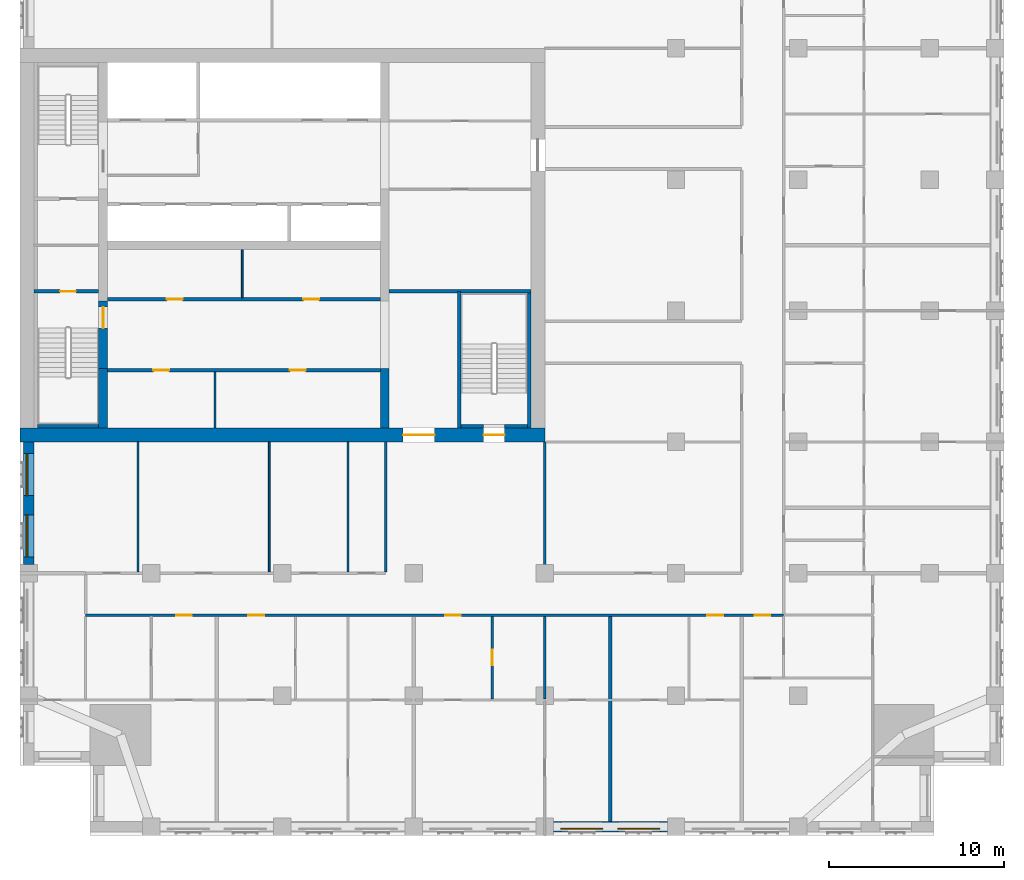
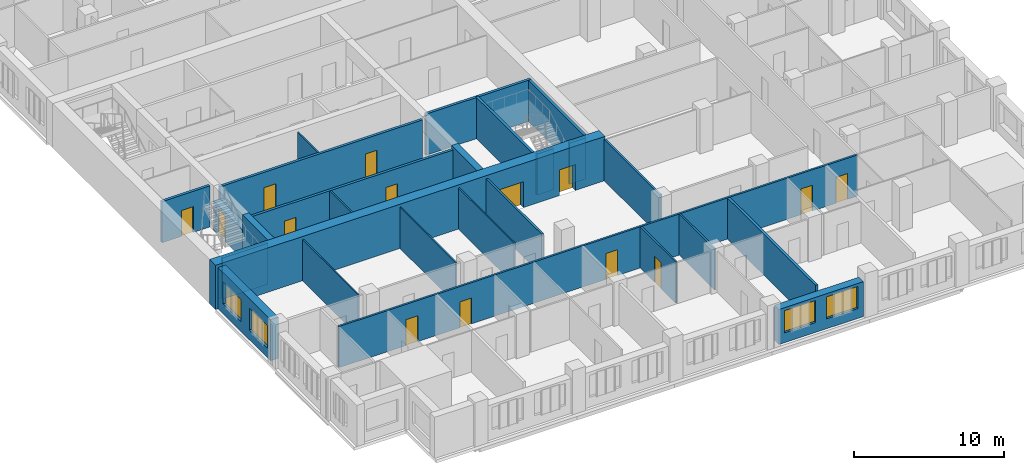
# One storey, part 5 of 14: 26 walls, 14 doors, 4 windows, 18 openings.
"""IFC4 building model written with IfcOpenShell, lengths in metres."""

from ifc_helpers import new_model, si_unit, direction, frame, frame_2d, origin, place, context, subcontext, project, spatial, rectangle, extrude, material, layer, layer_set, type_object, element, fill, save


model = new_model("IFC4")

# Units and contexts
model_context = context("Model", 3, precision=1e-05, world=origin(), true_north=direction((0.0, 1.0)))
body_context = subcontext(model_context, "Body", "Model", "MODEL_VIEW")
ifc_project = project(units=[si_unit("LENGTHUNIT", "METRE"), si_unit("AREAUNIT", "SQUARE_METRE"), si_unit("VOLUMEUNIT", "CUBIC_METRE"), si_unit("PLANEANGLEUNIT", "RADIAN"), si_unit("MASSUNIT", "GRAM", prefix="KILO")], contexts=[model_context])

# Site, building, storey
site_placement = place(None, origin())
site = spatial("IfcSite", under=ifc_project, at=site_placement, CompositionType="ELEMENT")
building_placement = place(site_placement, origin())
building = spatial("IfcBuilding", under=site, at=building_placement, Name="Tamorin Gate", CompositionType="ELEMENT")
storey_placement = place(building_placement, frame((0.0, 0.0, 151.800048828125)))
storey = spatial("IfcBuildingStorey", under=building, at=storey_placement, Name="L37", CompositionType="ELEMENT", Elevation=151.800048828125)

# Wall, openings, windows
ifc_material_1 = material(Name="Precast concrete C40/50", Category="concrete")
ifc_layer_1 = layer(ifc_material_1, 0.60009765625)
ifc_layer_set_1 = layer_set([ifc_layer_1], Name="Precast concrete C40/50")
wall_type_1 = type_object("IfcWallType", Name="Board-marked concrete facade panel 600", PredefinedType="SOLIDWALL", material=ifc_layer_set_1)
wall_1_placement = place(storey_placement, frame((60.5, 38.0, 0.0), z_axis=(0.0, 0.0, 1.0), x_axis=(1.0, 0.0, 0.0)))
wall_1 = element("IfcWall", 1, at=wall_1_placement, inside=storey, type_object=wall_type_1, Name="Facade panel", PredefinedType="SOLIDWALL", context=body_context, shape_type="SweptSolid", body=[
    extrude(rectangle(XDim=6.5, YDim=0.60009765625, at=frame_2d((3.25, 0.0))), origin(), (0.0, 0.0, 1.0), 2.849853515625),
])
opening_1_placement = place(wall_1_placement, frame((0.425048828125, 0.0, 0.800048828125)))
opening_1 = element("IfcOpeningElement", 2, at=opening_1_placement, cuts=wall_1, Name="Opening WN1", PredefinedType="OPENING", context=body_context, shape_type="SweptSolid", body=[
    extrude(rectangle(XDim=2.39990234375, YDim=1.800048828125, at=frame_2d((1.199951171875, 0.89990234375))), frame((0.0, 0.31005859375, 0.0), z_axis=(0.0, -1.0, 0.0), x_axis=(1.0, 0.0, 0.0)), (0.0, 0.0, 1.0), 0.6201171875),
])
opening_2_placement = place(wall_1_placement, frame((3.675048828125, 0.0, 0.800048828125)))
opening_2 = element("IfcOpeningElement", 3, at=opening_2_placement, cuts=wall_1, Name="Opening WN1", PredefinedType="OPENING", context=body_context, shape_type="SweptSolid", body=[
    extrude(rectangle(XDim=2.39990234375, YDim=1.800048828125, at=frame_2d((1.199951171875, 0.89990234375))), frame((0.0, 0.31005859375, 0.0), z_axis=(0.0, -1.0, 0.0), x_axis=(1.0, 0.0, 0.0)), (0.0, 0.0, 1.0), 0.6201171875),
])
ifc_material_2 = material(Name="Clear glass in aluminium frame", Category="aluminium")
window_type = type_object("IfcWindowType", Name="Deep-set window 2400x1800", PartitioningType="SINGLE_PANEL", PredefinedType="WINDOW", material=ifc_material_2)
window_1_placement = place(opening_1_placement, origin())
window_1 = element("IfcWindow", 4, at=window_1_placement, inside=storey, type_object=window_type, Name="Deep-set window", OverallHeight=1.800048828125, OverallWidth=2.39990234375, PartitioningType="SINGLE_PANEL", PredefinedType="WINDOW", context=body_context, shape_type="SweptSolid", body=[
    extrude(rectangle(XDim=2.39990234375, YDim=1.800048828125, at=frame_2d((1.199951171875, 0.89990234375))), frame((0.0, -0.070068359375, 0.0), z_axis=(0.0, -1.0, 0.0), x_axis=(1.0, 0.0, 0.0)), (0.0, 0.0, 1.0), 0.06005859375),
])
fill(opening_1, window_1)
window_2_placement = place(opening_2_placement, origin())
window_2 = element("IfcWindow", 5, at=window_2_placement, inside=storey, type_object=window_type, Name="Deep-set window", OverallHeight=1.800048828125, OverallWidth=2.39990234375, PartitioningType="SINGLE_PANEL", PredefinedType="WINDOW", context=body_context, shape_type="SweptSolid", body=[
    extrude(rectangle(XDim=2.39990234375, YDim=1.800048828125, at=frame_2d((1.199951171875, 0.89990234375))), frame((0.0, -0.070068359375, 0.0), z_axis=(0.0, -1.0, 0.0), x_axis=(1.0, 0.0, 0.0)), (0.0, 0.0, 1.0), 0.06005859375),
])
fill(opening_2, window_2)

wall_2_placement = place(storey_placement, frame((30.5, 60.0, 0.0), z_axis=(0.0, 0.0, 1.0), x_axis=(0.0, -1.0, 0.0)))
wall_2 = element("IfcWall", 6, at=wall_2_placement, inside=storey, type_object=wall_type_1, Name="Facade panel", PredefinedType="SOLIDWALL", context=body_context, shape_type="SweptSolid", body=[
    extrude(rectangle(XDim=7.0, YDim=0.60009765625, at=frame_2d((3.5, 0.0))), origin(), (0.0, 0.0, 1.0), 3.349853515625),
])
opening_3_placement = place(wall_2_placement, frame((4.175048828125, 0.0, 0.800048828125)))
opening_3 = element("IfcOpeningElement", 7, at=opening_3_placement, cuts=wall_2, Name="Opening WN1", PredefinedType="OPENING", context=body_context, shape_type="SweptSolid", body=[
    extrude(rectangle(XDim=2.39990234375, YDim=1.800048828125, at=frame_2d((1.199951171875, 0.89990234375))), frame((0.0, 0.31005859375, 0.0), z_axis=(0.0, -1.0, 0.0), x_axis=(1.0, 0.0, 0.0)), (0.0, 0.0, 1.0), 0.6201171875),
])
opening_4_placement = place(wall_2_placement, frame((0.675048828125, 0.0, 0.800048828125)))
opening_4 = element("IfcOpeningElement", 8, at=opening_4_placement, cuts=wall_2, Name="Opening WN1", PredefinedType="OPENING", context=body_context, shape_type="SweptSolid", body=[
    extrude(rectangle(XDim=2.39990234375, YDim=1.800048828125, at=frame_2d((1.199951171875, 0.89990234375))), frame((0.0, 0.31005859375, 0.0), z_axis=(0.0, -1.0, 0.0), x_axis=(1.0, 0.0, 0.0)), (0.0, 0.0, 1.0), 0.6201171875),
])
window_3_placement = place(opening_3_placement, origin())
window_3 = element("IfcWindow", 9, at=window_3_placement, inside=storey, type_object=window_type, Name="Deep-set window", OverallHeight=1.800048828125, OverallWidth=2.39990234375, PartitioningType="SINGLE_PANEL", PredefinedType="WINDOW", context=body_context, shape_type="SweptSolid", body=[
    extrude(rectangle(XDim=2.39990234375, YDim=1.800048828125, at=frame_2d((1.199951171875, 0.89990234375))), frame((0.0, -0.070068359375, 0.0), z_axis=(0.0, -1.0, 0.0), x_axis=(1.0, 0.0, 0.0)), (0.0, 0.0, 1.0), 0.06005859375),
])
fill(opening_3, window_3)
window_4_placement = place(opening_4_placement, origin())
window_4 = element("IfcWindow", 10, at=window_4_placement, inside=storey, type_object=window_type, Name="Deep-set window", OverallHeight=1.800048828125, OverallWidth=2.39990234375, PartitioningType="SINGLE_PANEL", PredefinedType="WINDOW", context=body_context, shape_type="SweptSolid", body=[
    extrude(rectangle(XDim=2.39990234375, YDim=1.800048828125, at=frame_2d((1.199951171875, 0.89990234375))), frame((0.0, -0.070068359375, 0.0), z_axis=(0.0, -1.0, 0.0), x_axis=(1.0, 0.0, 0.0)), (0.0, 0.0, 1.0), 0.06005859375),
])
fill(opening_4, window_4)

# Wall, openings, doors
ifc_material_3 = material(Name="Gypsum board partition")
ifc_layer_2 = layer(ifc_material_3, 0.14990234375)
ifc_layer_set_2 = layer_set([ifc_layer_2], Name="Corridor wall 150")
wall_type_2 = type_object("IfcWallType", Name="Corridor wall 150", PredefinedType="PARTITIONING", material=ifc_layer_set_2)
wall_3_placement = place(storey_placement, frame((33.75, 50.10009765625, 0.0), z_axis=(0.0, 0.0, 1.0), x_axis=(1.0, 0.0, 0.0)))
wall_3 = element("IfcWall", 11, at=wall_3_placement, inside=storey, type_object=wall_type_2, Name="Corridor wall 150", PredefinedType="PARTITIONING", context=body_context, shape_type="SweptSolid", body=[
    extrude(rectangle(XDim=39.89990234375, YDim=0.14990234375, at=frame_2d((19.949951171875, 0.0))), origin(), (0.0, 0.0, 1.0), 3.349853515625),
])
opening_5_placement = place(wall_3_placement, frame((5.175048828125, 0.0, 0.0)))
opening_5 = element("IfcOpeningElement", 12, at=opening_5_placement, cuts=wall_3, Name="Opening DS3003", PredefinedType="OPENING", context=body_context, shape_type="SweptSolid", body=[
    extrude(rectangle(XDim=0.89990234375, YDim=2.10009765625, at=frame_2d((0.449951171875, 1.050048828125))), frame((0.0, 0.0849609375, 0.0), z_axis=(0.0, -1.0, 0.0), x_axis=(1.0, 0.0, 0.0)), (0.0, 0.0, 1.0), 0.169921875),
])
opening_6_placement = place(wall_3_placement, frame((9.300048828125, 0.0, 0.0)))
opening_6 = element("IfcOpeningElement", 13, at=opening_6_placement, cuts=wall_3, Name="Opening DS3005", PredefinedType="OPENING", context=body_context, shape_type="SweptSolid", body=[
    extrude(rectangle(XDim=0.89990234375, YDim=2.10009765625, at=frame_2d((0.449951171875, 1.050048828125))), frame((0.0, 0.0849609375, 0.0), z_axis=(0.0, -1.0, 0.0), x_axis=(1.0, 0.0, 0.0)), (0.0, 0.0, 1.0), 0.169921875),
])
opening_7_placement = place(wall_3_placement, frame((20.550048828125, 0.0, 0.0)))
opening_7 = element("IfcOpeningElement", 14, at=opening_7_placement, cuts=wall_3, Name="Opening DS3010", PredefinedType="OPENING", context=body_context, shape_type="SweptSolid", body=[
    extrude(rectangle(XDim=0.89990234375, YDim=2.10009765625, at=frame_2d((0.449951171875, 1.050048828125))), frame((0.0, 0.0849609375, 0.0), z_axis=(0.0, -1.0, 0.0), x_axis=(1.0, 0.0, 0.0)), (0.0, 0.0, 1.0), 0.169921875),
])
opening_8_placement = place(wall_3_placement, frame((35.550048828125, 0.0, 0.0)))
opening_8 = element("IfcOpeningElement", 15, at=opening_8_placement, cuts=wall_3, Name="Opening DS3016", PredefinedType="OPENING", context=body_context, shape_type="SweptSolid", body=[
    extrude(rectangle(XDim=0.89990234375, YDim=2.10009765625, at=frame_2d((0.449951171875, 1.050048828125))), frame((0.0, 0.0849609375, 0.0), z_axis=(0.0, -1.0, 0.0), x_axis=(1.0, 0.0, 0.0)), (0.0, 0.0, 1.0), 0.169921875),
])
opening_9_placement = place(wall_3_placement, frame((38.25, 0.0, 0.0)))
opening_9 = element("IfcOpeningElement", 16, at=opening_9_placement, cuts=wall_3, Name="Opening DS3056", PredefinedType="OPENING", context=body_context, shape_type="SweptSolid", body=[
    extrude(rectangle(XDim=0.89990234375, YDim=2.10009765625, at=frame_2d((0.449951171875, 1.050048828125))), frame((0.0, 0.0849609375, 0.0), z_axis=(0.0, -1.0, 0.0), x_axis=(1.0, 0.0, 0.0)), (0.0, 0.0, 1.0), 0.169921875),
])
ifc_material_4 = material(Name="Timber door leaf", Category="wood")
door_type_1 = type_object("IfcDoorType", Name="Door 900 x 2100 FD30S", OperationType="NOTDEFINED", PredefinedType="DOOR", material=ifc_material_4)
door_1_placement = place(opening_5_placement, origin())
door_1 = element("IfcDoor", 17, at=door_1_placement, inside=storey, type_object=door_type_1, Name="Door DS3003", OperationType="SINGLE_SWING_RIGHT", OverallHeight=2.10009765625, OverallWidth=0.89990234375, PredefinedType="DOOR", context=body_context, shape_type="SweptSolid", body=[
    extrude(rectangle(XDim=0.89990234375, YDim=2.10009765625, at=frame_2d((0.449951171875, 1.050048828125))), frame((0.0, 0.02490234375, 0.0), z_axis=(0.0, -1.0, 0.0), x_axis=(1.0, 0.0, 0.0)), (0.0, 0.0, 1.0), 0.050048828125),
])
fill(opening_5, door_1)
door_2_placement = place(opening_6_placement, origin())
door_2 = element("IfcDoor", 18, at=door_2_placement, inside=storey, type_object=door_type_1, Name="Door DS3005", OperationType="SINGLE_SWING_RIGHT", OverallHeight=2.10009765625, OverallWidth=0.89990234375, PredefinedType="DOOR", context=body_context, shape_type="SweptSolid", body=[
    extrude(rectangle(XDim=0.89990234375, YDim=2.10009765625, at=frame_2d((0.449951171875, 1.050048828125))), frame((0.0, 0.02490234375, 0.0), z_axis=(0.0, -1.0, 0.0), x_axis=(1.0, 0.0, 0.0)), (0.0, 0.0, 1.0), 0.050048828125),
])
fill(opening_6, door_2)
door_3_placement = place(opening_7_placement, origin())
door_3 = element("IfcDoor", 19, at=door_3_placement, inside=storey, type_object=door_type_1, Name="Door DS3010", OperationType="SINGLE_SWING_RIGHT", OverallHeight=2.10009765625, OverallWidth=0.89990234375, PredefinedType="DOOR", context=body_context, shape_type="SweptSolid", body=[
    extrude(rectangle(XDim=0.89990234375, YDim=2.10009765625, at=frame_2d((0.449951171875, 1.050048828125))), frame((0.0, 0.02490234375, 0.0), z_axis=(0.0, -1.0, 0.0), x_axis=(1.0, 0.0, 0.0)), (0.0, 0.0, 1.0), 0.050048828125),
])
fill(opening_7, door_3)
door_4_placement = place(opening_8_placement, origin())
door_4 = element("IfcDoor", 20, at=door_4_placement, inside=storey, type_object=door_type_1, Name="Door DS3016", OperationType="SINGLE_SWING_RIGHT", OverallHeight=2.10009765625, OverallWidth=0.89990234375, PredefinedType="DOOR", context=body_context, shape_type="SweptSolid", body=[
    extrude(rectangle(XDim=0.89990234375, YDim=2.10009765625, at=frame_2d((0.449951171875, 1.050048828125))), frame((0.0, 0.02490234375, 0.0), z_axis=(0.0, -1.0, 0.0), x_axis=(1.0, 0.0, 0.0)), (0.0, 0.0, 1.0), 0.050048828125),
])
fill(opening_8, door_4)
door_5_placement = place(opening_9_placement, origin())
door_5 = element("IfcDoor", 21, at=door_5_placement, inside=storey, type_object=door_type_1, Name="Door DS3056", OperationType="SINGLE_SWING_LEFT", OverallHeight=2.10009765625, OverallWidth=0.89990234375, PredefinedType="DOOR", context=body_context, shape_type="SweptSolid", body=[
    extrude(rectangle(XDim=0.89990234375, YDim=2.10009765625, at=frame_2d((0.449951171875, 1.050048828125))), frame((0.0, 0.02490234375, 0.0), z_axis=(0.0, -1.0, 0.0), x_axis=(1.0, 0.0, 0.0)), (0.0, 0.0, 1.0), 0.050048828125),
])
fill(opening_9, door_5)

# Walls
ifc_layer_3 = layer(ifc_material_3, 0.199951171875)
ifc_layer_set_3 = layer_set([ifc_layer_3], Name="Demising wall 200")
wall_type_3 = type_object("IfcWallType", Name="Demising wall 200", PredefinedType="PARTITIONING", material=ifc_layer_set_3)
wall_4_placement = place(storey_placement, frame((63.75, 38.31005859375, 0.0), z_axis=(0.0, 0.0, 1.0), x_axis=(0.0, 1.0, 0.0)))
element("IfcWall", 22, at=wall_4_placement, inside=storey, type_object=wall_type_3, Name="Demising wall 200", PredefinedType="PARTITIONING", context=body_context, shape_type="SweptSolid", body=[
    extrude(rectangle(XDim=11.71484375, YDim=0.199951171875, at=frame_2d((5.857421875, 0.0))), origin(), (0.0, 0.0, 1.0), 3.349853515625),
])
ifc_layer_4 = layer(ifc_material_3, 0.14990234375)
ifc_layer_set_4 = layer_set([ifc_layer_4], Name="Lobby wall 150")
wall_type_4 = type_object("IfcWallType", Name="Lobby wall 150", PredefinedType="PARTITIONING", material=ifc_layer_set_4)
for number, where, z_axis, x_axis, name in (
    (23, (50.89990234375, 52.574951171875, 0.0), (0.0, 0.0, 1.0), (0.0, 1.0, 0.0), "Lobby wall 150"),
    (24, (60.0, 52.574951171875, 0.0), (0.0, 0.0, 1.0), (0.0, 1.0, 0.0), "Lobby wall 150"),
):
    element("IfcWall", number, at=place(storey_placement, frame(where, z_axis=z_axis, x_axis=x_axis)), inside=storey, type_object=wall_type_4, Name=name, PredefinedType="PARTITIONING", context=body_context, shape_type="SweptSolid", body=[
        extrude(rectangle(XDim=7.425048828125, YDim=0.14990234375, at=frame_2d((3.71240234375, 0.0))), origin(), (0.0, 0.0, 1.0), 3.349853515625),
    ])
ifc_material_5 = material(Name="Concrete C60/75", Category="concrete")
ifc_layer_5 = layer(ifc_material_5, 0.5)
ifc_layer_set_5 = layer_set([ifc_layer_5], Name="RC core internal wall 500 C60/75")
wall_type_5 = type_object("IfcWallType", Name="RC core internal wall 500 C60/75", PredefinedType="SHEAR", material=ifc_layer_set_5)
for number, where, z_axis, x_axis, name in (
    (25, (34.75, 60.800048828125, 0.0), (0.0, 0.0, 1.0), (0.0, 1.0, 0.0), "Core cross wall L37"),
    (26, (50.85009765625, 60.800048828125, 0.0), (0.0, 0.0, 1.0), (0.0, 1.0, 0.0), "Core cross wall L37"),
):
    element("IfcWall", number, at=place(storey_placement, frame(where, z_axis=z_axis, x_axis=x_axis)), inside=storey, type_object=wall_type_5, Name=name, PredefinedType="SHEAR", context=body_context, shape_type="SweptSolid", body=[
        extrude(rectangle(XDim=3.39990234375, YDim=0.5, at=frame_2d((1.699951171875, 0.0))), origin(), (0.0, 0.0, 1.0), 3.599853515625),
    ])

# Wall, openings, doors
ifc_layer_6 = layer(ifc_material_5, 0.800048828125)
ifc_layer_set_6 = layer_set([ifc_layer_6], Name="RC core wall 800 C60/75")
wall_type_6 = type_object("IfcWallType", Name="RC core wall 800 C60/75", PredefinedType="SHEAR", material=ifc_layer_set_6)
wall_5_placement = place(storey_placement, frame((30.0, 60.39990234375, 0.0), z_axis=(0.0, 0.0, 1.0), x_axis=(1.0, 0.0, 0.0)))
wall_5 = element("IfcWall", 27, at=wall_5_placement, inside=storey, type_object=wall_type_6, Name="Core wall L37", PredefinedType="SHEAR", context=body_context, shape_type="SweptSolid", body=[
    extrude(rectangle(XDim=30.0, YDim=0.800048828125, at=frame_2d((15.0, 0.0))), origin(), (0.0, 0.0, 1.0), 3.599853515625),
])
opening_10_placement = place(wall_5_placement, frame((21.89990234375, 0.0, 0.0)))
opening_10 = element("IfcOpeningElement", 28, at=opening_10_placement, cuts=wall_5, Name="Opening DE1", PredefinedType="OPENING", context=body_context, shape_type="SweptSolid", body=[
    extrude(rectangle(XDim=1.800048828125, YDim=2.10009765625, at=frame_2d((0.89990234375, 1.050048828125))), frame((0.0, 0.409912109375, 0.0), z_axis=(0.0, -1.0, 0.0), x_axis=(1.0, 0.0, 0.0)), (0.0, 0.0, 1.0), 0.820068359375),
])
opening_11_placement = place(wall_5_placement, frame((26.5, 0.0, 0.0)))
opening_11 = element("IfcOpeningElement", 29, at=opening_11_placement, cuts=wall_5, Name="Opening DS1", PredefinedType="OPENING", context=body_context, shape_type="SweptSolid", body=[
    extrude(rectangle(XDim=1.199951171875, YDim=2.10009765625, at=frame_2d((0.60009765625, 1.050048828125))), frame((0.0, 0.409912109375, 0.0), z_axis=(0.0, -1.0, 0.0), x_axis=(1.0, 0.0, 0.0)), (0.0, 0.0, 1.0), 0.820068359375),
])
ifc_material_6 = material(Name="Steel fire door", Category="steel")
door_type_2 = type_object("IfcDoorType", Name="Lobby exit double door 1800 x 2100 EI 60", OperationType="DOUBLE_DOOR_SINGLE_SWING", PredefinedType="DOOR", material=ifc_material_6)
door_6_placement = place(opening_10_placement, origin())
door_6 = element("IfcDoor", 30, at=door_6_placement, inside=storey, type_object=door_type_2, Name="Lift lobby A exit door", OperationType="DOUBLE_DOOR_SINGLE_SWING", OverallHeight=2.10009765625, OverallWidth=1.800048828125, PredefinedType="DOOR", context=body_context, shape_type="SweptSolid", body=[
    extrude(rectangle(XDim=1.800048828125, YDim=2.10009765625, at=frame_2d((0.89990234375, 1.050048828125))), frame((0.0, 0.02490234375, 0.0), z_axis=(0.0, -1.0, 0.0), x_axis=(1.0, 0.0, 0.0)), (0.0, 0.0, 1.0), 0.050048828125),
])
fill(opening_10, door_6)
door_type_3 = type_object("IfcDoorType", Name="Stair door 1200 x 2100 EI 90", OperationType="SINGLE_SWING_LEFT", PredefinedType="DOOR", material=ifc_material_6)
door_7_placement = place(opening_11_placement, origin())
door_7 = element("IfcDoor", 31, at=door_7_placement, inside=storey, type_object=door_type_3, Name="ST3 door", OperationType="SINGLE_SWING_LEFT", OverallHeight=2.10009765625, OverallWidth=1.199951171875, PredefinedType="DOOR", context=body_context, shape_type="SweptSolid", body=[
    extrude(rectangle(XDim=1.199951171875, YDim=2.10009765625, at=frame_2d((0.60009765625, 1.050048828125))), frame((0.0, 0.02490234375, 0.0), z_axis=(0.0, -1.0, 0.0), x_axis=(1.0, 0.0, 0.0)), (0.0, 0.0, 1.0), 0.050048828125),
])
fill(opening_11, door_7)

# Walls
ifc_layer_7 = layer(ifc_material_3, 0.10009765625)
ifc_layer_set_7 = layer_set([ifc_layer_7], Name="Room partition 100")
wall_type_7 = type_object("IfcWallType", Name="Room partition 100", PredefinedType="PARTITIONING", material=ifc_layer_set_7)
for number, where, z_axis, x_axis, name in (
    (32, (36.75, 52.574951171875, 0.0), (0.0, 0.0, 1.0), (0.0, 1.0, 0.0), "Room partition 100"),
    (33, (44.25, 52.574951171875, 0.0), (0.0, 0.0, 1.0), (0.0, 1.0, 0.0), "Room partition 100"),
    (34, (48.75, 52.574951171875, 0.0), (0.0, 0.0, 1.0), (0.0, 1.0, 0.0), "Room partition 100"),
):
    element("IfcWall", number, at=place(storey_placement, frame(where, z_axis=z_axis, x_axis=x_axis)), inside=storey, type_object=wall_type_7, Name=name, PredefinedType="PARTITIONING", context=body_context, shape_type="SweptSolid", body=[
        extrude(rectangle(XDim=7.425048828125, YDim=0.10009765625, at=frame_2d((3.71240234375, 0.0))), origin(), (0.0, 0.0, 1.0), 3.349853515625),
    ])

# Wall, openings, doors
ifc_layer_8 = layer(ifc_material_3, 0.199951171875)
ifc_layer_set_8 = layer_set([ifc_layer_8], Name="Service room face wall 200 EI 60")
wall_type_8 = type_object("IfcWallType", Name="Service room face wall 200 EI 60", PredefinedType="PARTITIONING", material=ifc_layer_set_8)
wall_6_placement = place(storey_placement, frame((35.0, 64.10009765625, 0.0), z_axis=(0.0, 0.0, 1.0), x_axis=(1.0, 0.0, 0.0)))
wall_6 = element("IfcWall", 35, at=wall_6_placement, inside=storey, type_object=wall_type_8, Name="Service room face wall", PredefinedType="PARTITIONING", context=body_context, shape_type="SweptSolid", body=[
    extrude(rectangle(XDim=15.60009765625, YDim=0.199951171875, at=frame_2d((7.800048828125, 0.0))), origin(), (0.0, 0.0, 1.0), 3.349853515625),
])
opening_12_placement = place(wall_6_placement, frame((2.625, 0.0, 0.0)))
opening_12 = element("IfcOpeningElement", 36, at=opening_12_placement, cuts=wall_6, Name="Opening DK1", PredefinedType="OPENING", context=body_context, shape_type="SweptSolid", body=[
    extrude(rectangle(XDim=0.89990234375, YDim=2.10009765625, at=frame_2d((0.449951171875, 1.050048828125))), frame((0.0, 0.10986328125, 0.0), z_axis=(0.0, -1.0, 0.0), x_axis=(1.0, 0.0, 0.0)), (0.0, 0.0, 1.0), 0.219970703125),
])
opening_13_placement = place(wall_6_placement, frame((10.425048828125, 0.0, 0.0)))
opening_13 = element("IfcOpeningElement", 37, at=opening_13_placement, cuts=wall_6, Name="Opening DK1", PredefinedType="OPENING", context=body_context, shape_type="SweptSolid", body=[
    extrude(rectangle(XDim=0.89990234375, YDim=2.10009765625, at=frame_2d((0.449951171875, 1.050048828125))), frame((0.0, 0.10986328125, 0.0), z_axis=(0.0, -1.0, 0.0), x_axis=(1.0, 0.0, 0.0)), (0.0, 0.0, 1.0), 0.219970703125),
])
ifc_material_7 = material(Name="Timber fire door", Category="wood")
door_type_4 = type_object("IfcDoorType", Name="Service room door 900 x 2100 EI 60", OperationType="SINGLE_SWING_LEFT", PredefinedType="DOOR", material=ifc_material_7)
door_8_placement = place(opening_12_placement, origin())
door_8 = element("IfcDoor", 38, at=door_8_placement, inside=storey, type_object=door_type_4, Name="Door Pantry", OperationType="SINGLE_SWING_LEFT", OverallHeight=2.10009765625, OverallWidth=0.89990234375, PredefinedType="DOOR", context=body_context, shape_type="SweptSolid", body=[
    extrude(rectangle(XDim=0.89990234375, YDim=2.10009765625, at=frame_2d((0.449951171875, 1.050048828125))), frame((0.0, 0.02490234375, 0.0), z_axis=(0.0, -1.0, 0.0), x_axis=(1.0, 0.0, 0.0)), (0.0, 0.0, 1.0), 0.050048828125),
])
fill(opening_12, door_8)
door_9_placement = place(opening_13_placement, origin())
door_9 = element("IfcDoor", 39, at=door_9_placement, inside=storey, type_object=door_type_4, Name="Door Linen store", OperationType="SINGLE_SWING_RIGHT", OverallHeight=2.10009765625, OverallWidth=0.89990234375, PredefinedType="DOOR", context=body_context, shape_type="SweptSolid", body=[
    extrude(rectangle(XDim=0.89990234375, YDim=2.10009765625, at=frame_2d((0.449951171875, 1.050048828125))), frame((0.0, 0.02490234375, 0.0), z_axis=(0.0, -1.0, 0.0), x_axis=(1.0, 0.0, 0.0)), (0.0, 0.0, 1.0), 0.050048828125),
])
fill(opening_13, door_9)

wall_7_placement = place(storey_placement, frame((35.0, 68.14990234375, 0.0), z_axis=(0.0, 0.0, 1.0), x_axis=(1.0, 0.0, 0.0)))
wall_7 = element("IfcWall", 40, at=wall_7_placement, inside=storey, type_object=wall_type_8, Name="Service room face wall", PredefinedType="PARTITIONING", context=body_context, shape_type="SweptSolid", body=[
    extrude(rectangle(XDim=15.60009765625, YDim=0.199951171875, at=frame_2d((7.800048828125, 0.0))), origin(), (0.0, 0.0, 1.0), 3.349853515625),
])
opening_14_placement = place(wall_7_placement, frame((3.39990234375, 0.0, 0.0)))
opening_14 = element("IfcOpeningElement", 41, at=opening_14_placement, cuts=wall_7, Name="Opening DK1", PredefinedType="OPENING", context=body_context, shape_type="SweptSolid", body=[
    extrude(rectangle(XDim=0.89990234375, YDim=2.10009765625, at=frame_2d((0.449951171875, 1.050048828125))), frame((0.0, 0.10986328125, 0.0), z_axis=(0.0, -1.0, 0.0), x_axis=(1.0, 0.0, 0.0)), (0.0, 0.0, 1.0), 0.219970703125),
])
opening_15_placement = place(wall_7_placement, frame((11.199951171875, 0.0, 0.0)))
opening_15 = element("IfcOpeningElement", 42, at=opening_15_placement, cuts=wall_7, Name="Opening DK1", PredefinedType="OPENING", context=body_context, shape_type="SweptSolid", body=[
    extrude(rectangle(XDim=0.89990234375, YDim=2.10009765625, at=frame_2d((0.449951171875, 1.050048828125))), frame((0.0, 0.10986328125, 0.0), z_axis=(0.0, -1.0, 0.0), x_axis=(1.0, 0.0, 0.0)), (0.0, 0.0, 1.0), 0.219970703125),
])
door_10_placement = place(opening_14_placement, origin())
door_10 = element("IfcDoor", 43, at=door_10_placement, inside=storey, type_object=door_type_4, Name="Door Housekeeping store", OperationType="SINGLE_SWING_LEFT", OverallHeight=2.10009765625, OverallWidth=0.89990234375, PredefinedType="DOOR", context=body_context, shape_type="SweptSolid", body=[
    extrude(rectangle(XDim=0.89990234375, YDim=2.10009765625, at=frame_2d((0.449951171875, 1.050048828125))), frame((0.0, 0.02490234375, 0.0), z_axis=(0.0, -1.0, 0.0), x_axis=(1.0, 0.0, 0.0)), (0.0, 0.0, 1.0), 0.050048828125),
])
fill(opening_14, door_10)
door_11_placement = place(opening_15_placement, origin())
door_11 = element("IfcDoor", 44, at=door_11_placement, inside=storey, type_object=door_type_4, Name="Door Electrical and IT room", OperationType="SINGLE_SWING_RIGHT", OverallHeight=2.10009765625, OverallWidth=0.89990234375, PredefinedType="DOOR", context=body_context, shape_type="SweptSolid", body=[
    extrude(rectangle(XDim=0.89990234375, YDim=2.10009765625, at=frame_2d((0.449951171875, 1.050048828125))), frame((0.0, 0.02490234375, 0.0), z_axis=(0.0, -1.0, 0.0), x_axis=(1.0, 0.0, 0.0)), (0.0, 0.0, 1.0), 0.050048828125),
])
fill(opening_15, door_11)

# Walls
ifc_layer_9 = layer(ifc_material_3, 0.10009765625)
ifc_layer_set_9 = layer_set([ifc_layer_9], Name="Service room partition 100 EI 60")
wall_type_9 = type_object("IfcWallType", Name="Service room partition 100 EI 60", PredefinedType="PARTITIONING", material=ifc_layer_set_9)
wall_8_placement = place(storey_placement, frame((41.14990234375, 60.800048828125, 0.0), z_axis=(0.0, 0.0, 1.0), x_axis=(0.0, 1.0, 0.0)))
element("IfcWall", 45, at=wall_8_placement, inside=storey, type_object=wall_type_9, Name="Service room partition", PredefinedType="PARTITIONING", context=body_context, shape_type="SweptSolid", body=[
    extrude(rectangle(XDim=3.199951171875, YDim=0.10009765625, at=frame_2d((1.60009765625, 0.0))), origin(), (0.0, 0.0, 1.0), 3.349853515625),
])
wall_9_placement = place(storey_placement, frame((42.699951171875, 68.25, 0.0), z_axis=(0.0, 0.0, 1.0), x_axis=(0.0, 1.0, 0.0)))
element("IfcWall", 46, at=wall_9_placement, inside=storey, type_object=wall_type_9, Name="Service room partition", PredefinedType="PARTITIONING", context=body_context, shape_type="SweptSolid", body=[
    extrude(rectangle(XDim=2.75, YDim=0.10009765625, at=frame_2d((1.375, 0.0))), origin(), (0.0, 0.0, 1.0), 3.349853515625),
])

# Wall, opening, door
ifc_material_8 = material(Name="Concrete C40/50", Category="concrete")
ifc_layer_10 = layer(ifc_material_8, 0.199951171875)
ifc_layer_set_10 = layer_set([ifc_layer_10], Name="Stair enclosure wall 200 EI 120 C40/50")
wall_type_10 = type_object("IfcWallType", Name="Stair enclosure wall 200 EI 120 C40/50", PredefinedType="SOLIDWALL", material=ifc_layer_set_10)
wall_10_placement = place(storey_placement, frame((30.800048828125, 68.60009765625, 0.0), z_axis=(0.0, 0.0, 1.0), x_axis=(1.0, 0.0, 0.0)))
wall_10 = element("IfcWall", 47, at=wall_10_placement, inside=storey, type_object=wall_type_10, Name="Stair enclosure wall", PredefinedType="SOLIDWALL", context=body_context, shape_type="SweptSolid", body=[
    extrude(rectangle(XDim=3.699951171875, YDim=0.199951171875, at=frame_2d((1.85009765625, 0.0))), origin(), (0.0, 0.0, 1.0), 3.349853515625),
])
opening_16_placement = place(wall_10_placement, frame((1.5, 0.0, 0.0)))
opening_16 = element("IfcOpeningElement", 48, at=opening_16_placement, cuts=wall_10, Name="Opening DR1", PredefinedType="OPENING", context=body_context, shape_type="SweptSolid", body=[
    extrude(rectangle(XDim=0.89990234375, YDim=2.10009765625, at=frame_2d((0.449951171875, 1.050048828125))), frame((0.0, 0.10986328125, 0.0), z_axis=(0.0, -1.0, 0.0), x_axis=(1.0, 0.0, 0.0)), (0.0, 0.0, 1.0), 0.219970703125),
])
door_type_5 = type_object("IfcDoorType", Name="Riser access door 900 x 2100 EI 120", OperationType="SINGLE_SWING_LEFT", PredefinedType="DOOR", material=ifc_material_6)
door_12_placement = place(opening_16_placement, origin())
door_12 = element("IfcDoor", 49, at=door_12_placement, inside=storey, type_object=door_type_5, Name="Electrical riser door", OperationType="SINGLE_SWING_LEFT", OverallHeight=2.10009765625, OverallWidth=0.89990234375, PredefinedType="DOOR", context=body_context, shape_type="SweptSolid", body=[
    extrude(rectangle(XDim=0.89990234375, YDim=2.10009765625, at=frame_2d((0.449951171875, 1.050048828125))), frame((0.0, 0.02490234375, 0.0), z_axis=(0.0, -1.0, 0.0), x_axis=(1.0, 0.0, 0.0)), (0.0, 0.0, 1.0), 0.050048828125),
])
fill(opening_16, door_12)

# Walls
wall_11_placement = place(storey_placement, frame((55.10009765625, 60.800048828125, 0.0), z_axis=(0.0, 0.0, 1.0), x_axis=(0.0, 1.0, 0.0)))
element("IfcWall", 50, at=wall_11_placement, inside=storey, type_object=wall_type_10, Name="Stair enclosure wall", PredefinedType="SOLIDWALL", context=body_context, shape_type="SweptSolid", body=[
    extrude(rectangle(XDim=7.800048828125, YDim=0.199951171875, at=frame_2d((3.89990234375, 0.0))), origin(), (0.0, 0.0, 1.0), 3.349853515625),
])
wall_12_placement = place(storey_placement, frame((51.10009765625, 68.60009765625, 0.0), z_axis=(0.0, 0.0, 1.0), x_axis=(1.0, 0.0, 0.0)))
element("IfcWall", 51, at=wall_12_placement, inside=storey, type_object=wall_type_10, Name="Stair enclosure wall", PredefinedType="SOLIDWALL", context=body_context, shape_type="SweptSolid", body=[
    extrude(rectangle(XDim=8.099853515625, YDim=0.199951171875, at=frame_2d((4.0498046875, 0.0))), origin(), (0.0, 0.0, 1.0), 3.349853515625),
])
ifc_layer_11 = layer(ifc_material_5, 0.199951171875)
ifc_layer_set_11 = layer_set([ifc_layer_11], Name="Stair lining wall 200 EI 120 C60/75")
wall_type_11 = type_object("IfcWallType", Name="Stair lining wall 200 EI 120 C60/75", PredefinedType="SOLIDWALL", material=ifc_layer_set_11)
wall_13_placement = place(storey_placement, frame((31.0, 60.89990234375, 0.0), z_axis=(0.0, 0.0, 1.0), x_axis=(1.0, 0.0, 0.0)))
element("IfcWall", 52, at=wall_13_placement, inside=storey, type_object=wall_type_11, Name="Stair lining wall", PredefinedType="SOLIDWALL", context=body_context, shape_type="SweptSolid", body=[
    extrude(rectangle(XDim=3.5, YDim=0.199951171875, at=frame_2d((1.75, 0.0))), origin(), (0.0, 0.0, 1.0), 3.349853515625),
])
for number, where, z_axis, x_axis, name in (
    (53, (55.199951171875, 60.89990234375, 0.0), (0.0, 0.0, 1.0), (1.0, 0.0, 0.0), "Stair lining wall"),
    (54, (57.699951171875, 60.89990234375, 0.0), (0.0, 0.0, 1.0), (1.0, 0.0, 0.0), "Stair lining wall"),
):
    element("IfcWall", number, at=place(storey_placement, frame(where, z_axis=z_axis, x_axis=x_axis)), inside=storey, type_object=wall_type_11, Name=name, PredefinedType="SOLIDWALL", context=body_context, shape_type="SweptSolid", body=[
        extrude(rectangle(XDim=1.300048828125, YDim=0.199951171875, at=frame_2d((0.64990234375, 0.0))), origin(), (0.0, 0.0, 1.0), 3.349853515625),
    ])
wall_14_placement = place(storey_placement, frame((59.10009765625, 60.800048828125, 0.0), z_axis=(0.0, 0.0, 1.0), x_axis=(0.0, 1.0, 0.0)))
element("IfcWall", 55, at=wall_14_placement, inside=storey, type_object=wall_type_11, Name="Stair lining wall", PredefinedType="SOLIDWALL", context=body_context, shape_type="SweptSolid", body=[
    extrude(rectangle(XDim=7.699951171875, YDim=0.199951171875, at=frame_2d((3.85009765625, 0.0))), origin(), (0.0, 0.0, 1.0), 3.349853515625),
])

# Wall, opening, door
ifc_material_9 = material(Name="Concrete C32/40", Category="concrete")
ifc_layer_12 = layer(ifc_material_9, 0.5)
ifc_layer_set_12 = layer_set([ifc_layer_12], Name="Stair lobby infill wall 500 EI 120")
wall_type_12 = type_object("IfcWallType", Name="Stair lobby infill wall 500 EI 120", PredefinedType="SOLIDWALL", material=ifc_layer_set_12)
wall_15_placement = place(storey_placement, frame((34.75, 64.199951171875, 0.0), z_axis=(0.0, 0.0, 1.0), x_axis=(0.0, 1.0, 0.0)))
wall_15 = element("IfcWall", 56, at=wall_15_placement, inside=storey, type_object=wall_type_12, Name="Stair lobby infill wall", PredefinedType="SOLIDWALL", context=body_context, shape_type="SweptSolid", body=[
    extrude(rectangle(XDim=3.85009765625, YDim=0.5, at=frame_2d((1.925048828125, 0.0))), origin(), (0.0, 0.0, 1.0), 2.39990234375),
])
opening_17_placement = place(wall_15_placement, frame((2.300048828125, 0.0, 0.0)))
opening_17 = element("IfcOpeningElement", 57, at=opening_17_placement, cuts=wall_15, Name="Opening DS1", PredefinedType="OPENING", context=body_context, shape_type="SweptSolid", body=[
    extrude(rectangle(XDim=1.199951171875, YDim=2.10009765625, at=frame_2d((0.60009765625, 1.050048828125))), frame((0.0, 0.260009765625, 0.0), z_axis=(0.0, -1.0, 0.0), x_axis=(1.0, 0.0, 0.0)), (0.0, 0.0, 1.0), 0.52001953125),
])
door_13_placement = place(opening_17_placement, origin())
door_13 = element("IfcDoor", 58, at=door_13_placement, inside=storey, type_object=door_type_3, Name="ST1 door", OperationType="SINGLE_SWING_LEFT", OverallHeight=2.10009765625, OverallWidth=1.199951171875, PredefinedType="DOOR", context=body_context, shape_type="SweptSolid", body=[
    extrude(rectangle(XDim=1.199951171875, YDim=2.10009765625, at=frame_2d((0.60009765625, 1.050048828125))), frame((0.0, 0.02490234375, 0.0), z_axis=(0.0, -1.0, 0.0), x_axis=(1.0, 0.0, 0.0)), (0.0, 0.0, 1.0), 0.050048828125),
])
fill(opening_17, door_13)

ifc_layer_13 = layer(ifc_material_3, 0.125)
ifc_layer_set_13 = layer_set([ifc_layer_13], Name="Wet wall 125")
wall_type_13 = type_object("IfcWallType", Name="Wet wall 125", PredefinedType="PARTITIONING", material=ifc_layer_set_13)
wall_16_placement = place(storey_placement, frame((57.0, 45.3125, 0.0), z_axis=(0.0, 0.0, 1.0), x_axis=(0.0, 1.0, 0.0)))
wall_16 = element("IfcWall", 59, at=wall_16_placement, inside=storey, type_object=wall_type_13, Name="Wet wall 125", PredefinedType="PARTITIONING", context=body_context, shape_type="SweptSolid", body=[
    extrude(rectangle(XDim=4.71240234375, YDim=0.125, at=frame_2d((2.356201171875, 0.0))), origin(), (0.0, 0.0, 1.0), 3.349853515625),
])
opening_18_placement = place(wall_16_placement, frame((1.91259765625, 0.0, 0.0)))
opening_18 = element("IfcOpeningElement", 60, at=opening_18_placement, cuts=wall_16, Name="Opening DS3012", PredefinedType="OPENING", context=body_context, shape_type="SweptSolid", body=[
    extrude(rectangle(XDim=0.89990234375, YDim=2.10009765625, at=frame_2d((0.449951171875, 1.050048828125))), frame((0.0, 0.072509765625, 0.0), z_axis=(0.0, -1.0, 0.0), x_axis=(1.0, 0.0, 0.0)), (0.0, 0.0, 1.0), 0.14501953125),
])
door_type_6 = type_object("IfcDoorType", Name="Door 900 x 2100", OperationType="NOTDEFINED", PredefinedType="DOOR", material=ifc_material_4)
door_14_placement = place(opening_18_placement, origin())
door_14 = element("IfcDoor", 61, at=door_14_placement, inside=storey, type_object=door_type_6, Name="Door DS3012", OperationType="SINGLE_SWING_LEFT", OverallHeight=2.10009765625, OverallWidth=0.89990234375, PredefinedType="DOOR", context=body_context, shape_type="SweptSolid", body=[
    extrude(rectangle(XDim=0.89990234375, YDim=2.10009765625, at=frame_2d((0.449951171875, 1.050048828125))), frame((0.0, 0.02490234375, 0.0), z_axis=(0.0, -1.0, 0.0), x_axis=(1.0, 0.0, 0.0)), (0.0, 0.0, 1.0), 0.050048828125),
])
fill(opening_18, door_14)

# Wall
wall_17_placement = place(storey_placement, frame((60.0, 45.3125, 0.0), z_axis=(0.0, 0.0, 1.0), x_axis=(0.0, 1.0, 0.0)))
element("IfcWall", 62, at=wall_17_placement, inside=storey, type_object=wall_type_13, Name="Wet wall 125", PredefinedType="PARTITIONING", context=body_context, shape_type="SweptSolid", body=[
    extrude(rectangle(XDim=4.71240234375, YDim=0.125, at=frame_2d((2.356201171875, 0.0))), origin(), (0.0, 0.0, 1.0), 3.349853515625),
])

save(model, "model.ifc")
